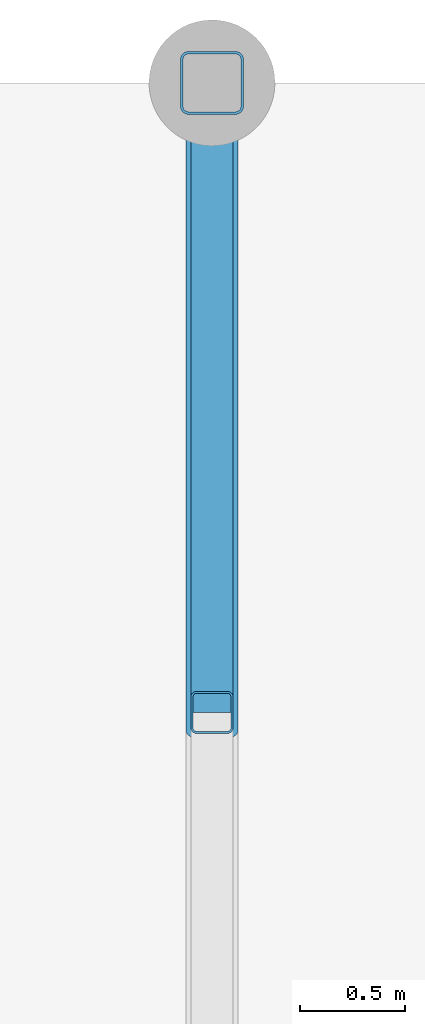
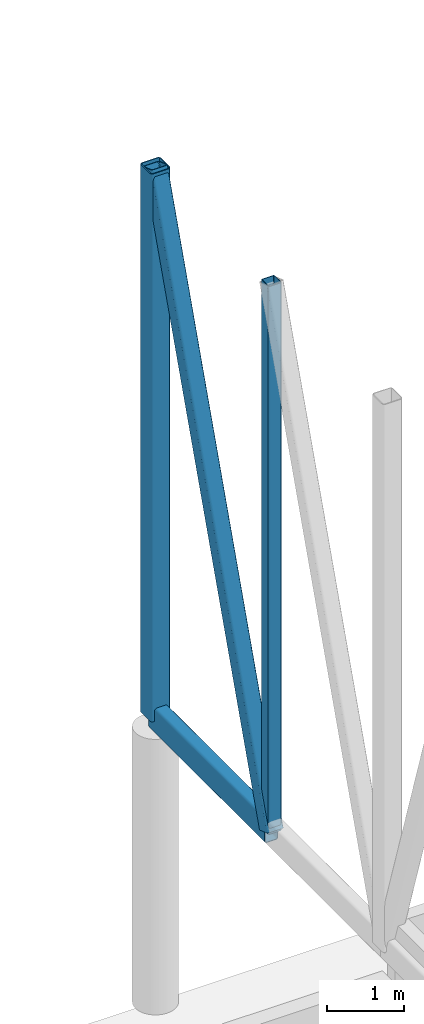
# One storey, part 17 of 101: 4 members.
"""IFC4 building model written with IfcOpenShell, lengths in metres."""

from ifc_helpers import new_model, si_unit, direction, frame, origin, origin_2d, place, context, subcontext, project, spatial, hollow_rectangle, extrude, material, material_profile, profile_set, type_object, element, save


model = new_model("IFC4")

# Units and contexts
model_context = context("Model", 3, precision=1e-05, world=origin(), true_north=direction((0.0, 1.0)))
body_context = subcontext(model_context, "Body", "Model", "MODEL_VIEW")
ifc_project = project(units=[si_unit("LENGTHUNIT", "METRE"), si_unit("AREAUNIT", "SQUARE_METRE"), si_unit("VOLUMEUNIT", "CUBIC_METRE"), si_unit("PLANEANGLEUNIT", "RADIAN"), si_unit("MASSUNIT", "GRAM", prefix="KILO")], contexts=[model_context])

# Site, building, storey
site_placement = place(None, origin())
site = spatial("IfcSite", under=ifc_project, at=site_placement, CompositionType="ELEMENT")
building_placement = place(site_placement, origin())
building = spatial("IfcBuilding", under=site, at=building_placement, Name="Almond Square Museum", CompositionType="ELEMENT")
storey_placement = place(building_placement, frame((0.0, 0.0, 5.5)))
storey = spatial("IfcBuildingStorey", under=building, at=storey_placement, Name="L01", CompositionType="ELEMENT", Elevation=5.5)

# Members
ifc_material_1 = material(Name="Structural steel S355", Category="steel")
ifc_material_profile_1 = material_profile(ifc_material_1, hollow_rectangle(XDim=0.199951171875, YDim=0.39990234375, WallThickness=0.012451171875, InnerFilletRadius=0.02490234375, OuterFilletRadius=0.03759765625, at=origin_2d()))
ifc_profile_set_1 = profile_set([ifc_material_profile_1], Name="Structural steel S355")
member_type_1 = type_object("IfcMemberType", Name="Truss chord RHS 400x200x12.5", PredefinedType="CHORD", material=ifc_profile_set_1)
member_1_placement = place(storey_placement, frame((73.199951171875, 112.199951171875, 4.550048828125), z_axis=(0.0, 1.0, 0.0), x_axis=(-1.0, 0.0, 0.0)))
element("IfcMember", 1, at=member_1_placement, inside=storey, type_object=member_type_1, Name="TR-17 bottom chord 8", PredefinedType="CHORD", context=body_context, shape_type="SweptSolid", body=[
    extrude(hollow_rectangle(XDim=0.199951171875, YDim=0.39990234375, WallThickness=0.012451171875, InnerFilletRadius=0.02490234375, OuterFilletRadius=0.03759765625, at=origin_2d()), origin(), (0.0, 0.0, 1.0), 3.0),
])
ifc_material_2 = material(Name="Structural steel S355", Category="steel")
ifc_material_profile_2 = material_profile(ifc_material_2, hollow_rectangle(XDim=0.25, YDim=0.25, WallThickness=0.012451171875, InnerFilletRadius=0.02490234375, OuterFilletRadius=0.03759765625, at=origin_2d()))
ifc_profile_set_2 = profile_set([ifc_material_profile_2], Name="Structural steel S355")
member_type_2 = type_object("IfcMemberType", Name="Truss diagonal SHS 250x250x12.5", PredefinedType="BRACE", material=ifc_profile_set_2)
member_2_placement = place(storey_placement, frame((73.199951171875, 112.199951171875, 4.550048828125), z_axis=(0.0, 0.327676522977, 0.944789974698), x_axis=(-1.0, 0.0, 0.0)))
element("IfcMember", 2, at=member_2_placement, inside=storey, type_object=member_type_2, Name="TR-17 diagonal 8", PredefinedType="BRACE", context=body_context, shape_type="SweptSolid", body=[
    extrude(hollow_rectangle(XDim=0.25, YDim=0.25, WallThickness=0.012451171875, InnerFilletRadius=0.02490234375, OuterFilletRadius=0.03759765625, at=origin_2d()), origin(), (0.0, 0.0, 1.0), 9.1552734375),
])
ifc_material_3 = material(Name="Structural steel S355", Category="steel")
ifc_material_profile_3 = material_profile(ifc_material_3, hollow_rectangle(XDim=0.199951171875, YDim=0.199951171875, WallThickness=0.010009765625, InnerFilletRadius=0.014892578125, OuterFilletRadius=0.02490234375, at=origin_2d()))
ifc_profile_set_3 = profile_set([ifc_material_profile_3], Name="Structural steel S355")
member_type_3 = type_object("IfcMemberType", Name="Truss post SHS 200x200x10", PredefinedType="POST", material=ifc_profile_set_3)
member_3_placement = place(storey_placement, frame((73.199951171875, 112.199951171875, 4.550048828125), z_axis=(0.0, 0.0, 1.0), x_axis=(1.0, 0.0, 0.0)))
element("IfcMember", 3, at=member_3_placement, inside=storey, type_object=member_type_3, Name="TR-17 post 8", PredefinedType="POST", context=body_context, shape_type="SweptSolid", body=[
    extrude(hollow_rectangle(XDim=0.199951171875, YDim=0.199951171875, WallThickness=0.010009765625, InnerFilletRadius=0.014892578125, OuterFilletRadius=0.02490234375, at=origin_2d()), origin(), (0.0, 0.0, 1.0), 8.64990234375),
])
ifc_material_4 = material(Name="Structural steel S355", Category="steel")
ifc_material_profile_4 = material_profile(ifc_material_4, hollow_rectangle(XDim=0.300048828125, YDim=0.300048828125, WallThickness=0.012451171875, InnerFilletRadius=0.02490234375, OuterFilletRadius=0.03759765625, at=origin_2d()))
ifc_profile_set_4 = profile_set([ifc_material_profile_4], Name="Structural steel S355")
member_type_4 = type_object("IfcMemberType", Name="Truss post SHS 300x300x12.5", PredefinedType="POST", material=ifc_profile_set_4)
member_4_placement = place(storey_placement, frame((73.199951171875, 115.199951171875, 4.550048828125), z_axis=(0.0, 0.0, 1.0), x_axis=(1.0, 0.0, 0.0)))
element("IfcMember", 4, at=member_4_placement, inside=storey, type_object=member_type_4, Name="TR-17 post 9", PredefinedType="POST", context=body_context, shape_type="SweptSolid", body=[
    extrude(hollow_rectangle(XDim=0.300048828125, YDim=0.300048828125, WallThickness=0.012451171875, InnerFilletRadius=0.02490234375, OuterFilletRadius=0.03759765625, at=origin_2d()), origin(), (0.0, 0.0, 1.0), 8.64990234375),
])

save(model, "model.ifc")
